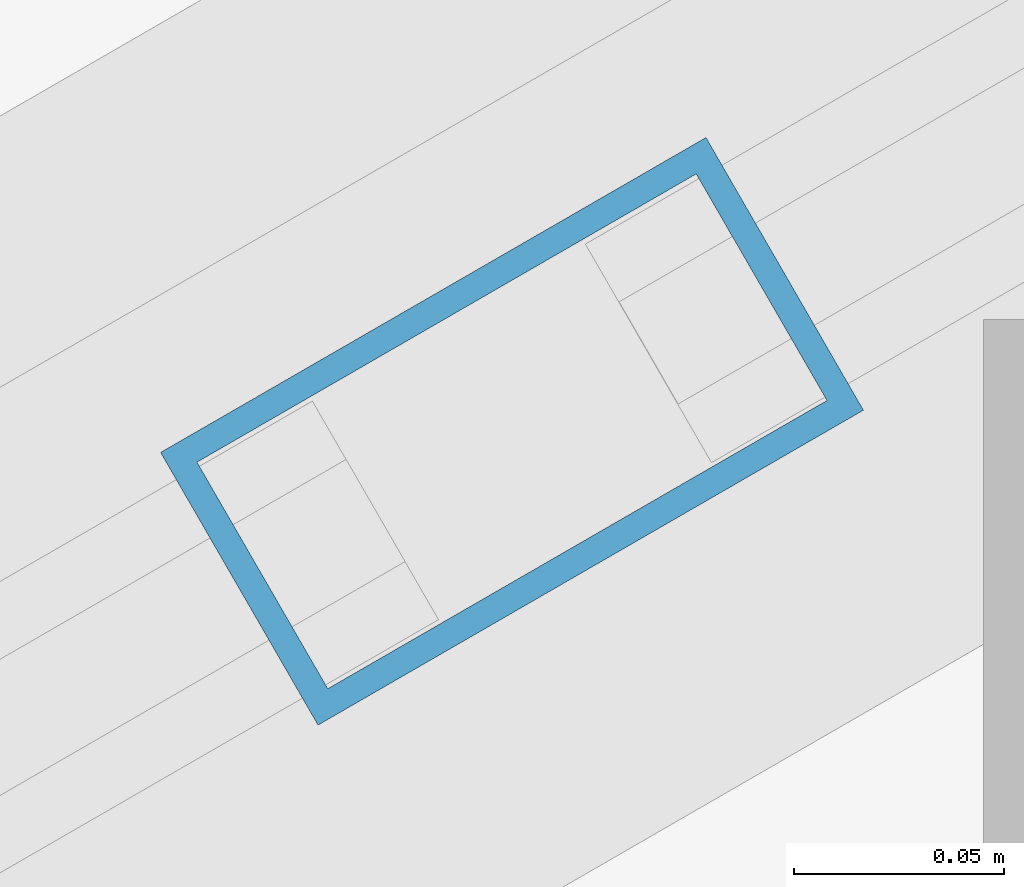
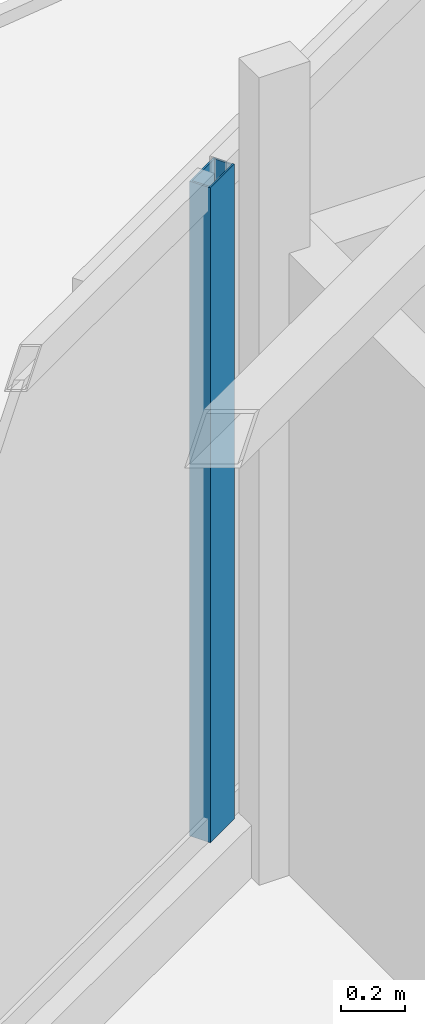
# One storey, part 10 of 22: 1 member, 1 element without a shape of its own.
"""IFC4 building model written with IfcOpenShell, lengths in metres."""

from ifc_helpers import new_model, si_unit, direction, frame, origin, origin_2d, place, context, subcontext, project, spatial, hollow_rectangle, extrude, material, layer, layer_set, material_profile, profile_set, type_object, element, aggregate, save


model = new_model("IFC4")

# Units and contexts
model_context = context("Model", 3, precision=1e-05, world=origin(), true_north=direction((0.0, 1.0)))
body_context = subcontext(model_context, "Body", "Model", "MODEL_VIEW")
ifc_project = project(units=[si_unit("LENGTHUNIT", "METRE"), si_unit("AREAUNIT", "SQUARE_METRE"), si_unit("VOLUMEUNIT", "CUBIC_METRE"), si_unit("PLANEANGLEUNIT", "RADIAN"), si_unit("MASSUNIT", "GRAM", prefix="KILO")], contexts=[model_context])

# Site, building, storey
site_placement = place(None, origin())
site = spatial("IfcSite", under=ifc_project, at=site_placement, CompositionType="ELEMENT")
building_placement = place(site_placement, origin())
building = spatial("IfcBuilding", under=site, at=building_placement, Name="Mersakhor Tower and Convention Hall", CompositionType="ELEMENT")
storey_placement = place(building_placement, frame((0.0, 0.0, 205.199951171875)))
storey = spatial("IfcBuildingStorey", under=building, at=storey_placement, Name="L57", CompositionType="ELEMENT", Elevation=205.199951171875)

# Curtain wall, member
ifc_material_1 = material(Name="Dark solar low-E aluminium curtain wall", Category="aluminium")
ifc_layer = layer(ifc_material_1, 0.169921875)
ifc_layer_set = layer_set([ifc_layer], Name="Dark solar low-E aluminium curtain wall")
curtain_wall_type = type_object("IfcCurtainWallType", Name="CW-SYS-02", PredefinedType="USERDEFINED", material=ifc_layer_set)
curtain_wall_placement = place(storey_placement, origin())
curtain_wall = element("IfcCurtainWall", 1, at=curtain_wall_placement, inside=storey, type_object=curtain_wall_type, Name="L57 Dark-Glass Curtain Wall F1-B2", ObjectType="CURTAIN WALL", PredefinedType="USERDEFINED")
ifc_material_2 = material(Name="Anodised aluminium EN AW-6063 T6", Category="aluminium")
ifc_material_profile = material_profile(ifc_material_2, hollow_rectangle(XDim=0.074951171875, YDim=0.14990234375, WallThickness=0.00634765625, at=origin_2d()), Name="RHS 150x75x6.3")
ifc_profile_set = profile_set([ifc_material_profile], Name="Anodised aluminium EN AW-6063 T6")
member_type = type_object("IfcMemberType", Name="CWM-150x75", PredefinedType="MULLION", material=ifc_profile_set)
member_placement = place(storey_placement, frame((24.504638671875, 37.535888671875, 0.199951171875), z_axis=(0.0, 0.0, 1.0), x_axis=(-0.500007824483, 0.86602088627, 0.0)))
member = element("IfcMember", 2, at=member_placement, type_object=member_type, Name="CW-02 mullion 3", PredefinedType="MULLION", context=body_context, shape_type="SweptSolid", body=[
    extrude(hollow_rectangle(XDim=0.074951171875, YDim=0.14990234375, WallThickness=0.00634765625, at=origin_2d()), origin(), (0.0, 0.0, 1.0), 2.489990234375),
])
aggregate(curtain_wall, [member])

save(model, "model.ifc")
